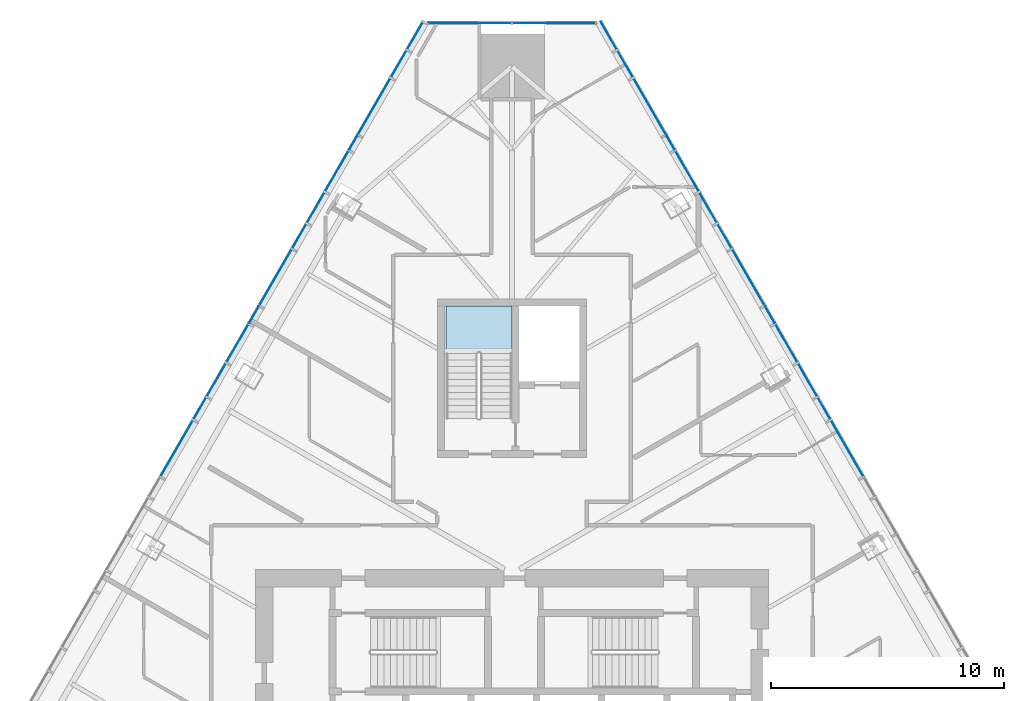
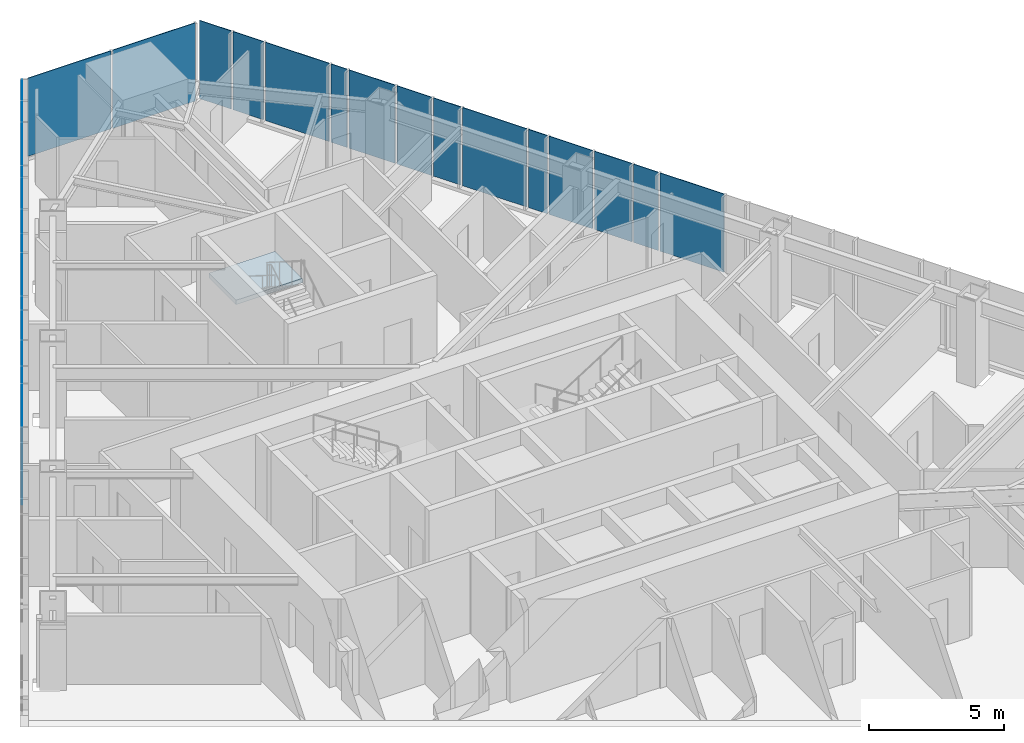
# One storey, part 11 of 19: 28 plates, 1 slab, 4 elements without a shape of their own.
"""IFC4 building model written with IfcOpenShell, lengths in metres."""

from ifc_helpers import new_model, si_unit, direction, frame, origin, place, context, subcontext, project, spatial, polyline, outline, extrude, material, layer, layer_set, type_object, element, aggregate, save


model = new_model("IFC4")

# Units and contexts
model_context = context("Model", 3, precision=1e-05, world=origin(), true_north=direction((0.0, 1.0)))
body_context = subcontext(model_context, "Body", "Model", "MODEL_VIEW")
ifc_project = project(units=[si_unit("LENGTHUNIT", "METRE"), si_unit("AREAUNIT", "SQUARE_METRE"), si_unit("VOLUMEUNIT", "CUBIC_METRE"), si_unit("PLANEANGLEUNIT", "RADIAN"), si_unit("MASSUNIT", "GRAM", prefix="KILO")], contexts=[model_context])

# Site, building, storey
site_placement = place(None, origin())
site = spatial("IfcSite", under=ifc_project, at=site_placement, CompositionType="ELEMENT")
building_placement = place(site_placement, origin())
building = spatial("IfcBuilding", under=site, at=building_placement, Name="Firuza Gate Tower and Library", CompositionType="ELEMENT")
storey_placement = place(building_placement, frame((0.0, 0.0, 210.39990234375)))
storey = spatial("IfcBuildingStorey", under=building, at=storey_placement, Name="L49", CompositionType="ELEMENT", Elevation=210.39990234375)

# Curtain wall, plates
ifc_material_1 = material(Name="Aluminium 6063-T6", Category="aluminium")
ifc_layer_1 = layer(ifc_material_1, 0.14990234375)
ifc_layer_set_1 = layer_set([ifc_layer_1], Name="Corner curtain wall, chamfers")
curtain_wall_type_1 = type_object("IfcCurtainWallType", Name="Corner curtain wall, chamfers", PredefinedType="NOTDEFINED", material=ifc_layer_set_1)
placement = place(storey_placement, origin())
curtain_wall_1 = element("IfcCurtainWall", 1, at=placement, inside=storey, type_object=curtain_wall_type_1, Name="CW4 L49 N corner", PredefinedType="NOTDEFINED")
ifc_material_2 = material(Name="Fritted glass", Category="glass")
ifc_layer_2 = layer(ifc_material_2, 0.030029296875)
ifc_layer_set_2 = layer_set([ifc_layer_2], Name="Fritted glass unit, corners")
plate_type_1 = type_object("IfcPlateType", Name="Fritted glass unit, corners", PredefinedType="CURTAIN_PANEL", material=ifc_layer_set_2)
plate_1_placement = place(storey_placement, frame((78.603271484375, 106.459716796875, 0.150146484375), z_axis=(0.0, 1.0, 0.0), x_axis=(-1.0, 0.0, 0.0)))
plate_1 = element("IfcPlate", 2, at=plate_1_placement, type_object=plate_type_1, Name="Glass unit", PredefinedType="CURTAIN_PANEL", context=body_context, shape_type="SweptSolid", body=[
    extrude(outline(polyline([(0.0, 0.0), (3.563232421875, 0.0), (3.563232421875, 3.550048828125), (0.0, 3.550048828125), (0.0, 0.0)])), origin(), (0.0, 0.0, -1.0), 0.030029296875),
])
plate_2_placement = place(storey_placement, frame((74.9599609375, 106.459716796875, 0.150146484375), z_axis=(0.0, 1.0, 0.0), x_axis=(-1.0, 0.0, 0.0)))
plate_2 = element("IfcPlate", 3, at=plate_2_placement, type_object=plate_type_1, Name="Glass unit", PredefinedType="CURTAIN_PANEL", context=body_context, shape_type="SweptSolid", body=[
    extrude(outline(polyline([(0.0, 0.0), (3.563232421875, 0.0), (3.563232421875, 3.550048828125), (0.0, 3.550048828125), (0.0, 0.0)])), origin(), (0.0, 0.0, -1.0), 0.030029296875),
])
aggregate(curtain_wall_1, [plate_1, plate_2])

ifc_material_3 = material(Name="Aluminium 6063-T6", Category="aluminium")
ifc_layer_3 = layer(ifc_material_3, 0.14990234375)
ifc_layer_set_3 = layer_set([ifc_layer_3], Name="Unitised curtain wall, hotel")
curtain_wall_type_2 = type_object("IfcCurtainWallType", Name="Unitised curtain wall, hotel", PredefinedType="NOTDEFINED", material=ifc_layer_set_3)
curtain_wall_2 = element("IfcCurtainWall", 4, at=placement, inside=storey, type_object=curtain_wall_type_2, Name="CW2 L49 E face", PredefinedType="NOTDEFINED")
ifc_material_4 = material(Name="Fritted glass", Category="glass")
ifc_layer_4 = layer(ifc_material_4, 0.030029296875)
ifc_layer_set_4 = layer_set([ifc_layer_4], Name="Fritted glass unit, hotel")
plate_type_2 = type_object("IfcPlateType", Name="Fritted glass unit, hotel", PredefinedType="CURTAIN_PANEL", material=ifc_layer_set_4)
plate_3_placement = place(storey_placement, frame((88.098876953125, 90.437255859375, 0.150146484375), z_axis=(0.866051796338, 0.49995428397, 0.0), x_axis=(-0.49995428397, 0.866051796338, 0.0)))
plate_3 = element("IfcPlate", 5, at=plate_3_placement, type_object=plate_type_2, Name="Glass unit", PredefinedType="CURTAIN_PANEL", context=body_context, shape_type="SweptSolid", body=[
    extrude(outline(polyline([(0.0, 0.0), (1.6104988137234593, 0.0), (1.6104988137234593, 3.550048828125), (0.0, 3.550048828125), (0.0, 0.0)])), origin(), (0.0, 0.0, -1.0), 0.030029296875),
])
plate_4_placement = place(storey_placement, frame((87.253662109375, 91.901123046875, 0.150146484375), z_axis=(0.866010510293, 0.500025795397, 0.0), x_axis=(-0.500025795397, 0.866010510293, 0.0)))
plate_4 = element("IfcPlate", 6, at=plate_4_placement, type_object=plate_type_2, Name="Glass unit", PredefinedType="CURTAIN_PANEL", context=body_context, shape_type="SweptSolid", body=[
    extrude(outline(polyline([(0.0, 0.0), (1.857814310135533, 0.0), (1.857814310135533, 3.550048828125001), (0.0, 3.550048828125001), (0.0, 0.0)])), origin(), (0.0, 0.0, -1.0), 0.030029296875),
])
plate_5_placement = place(storey_placement, frame((83.802001953125, 97.879638671875, 0.150146484375), z_axis=(0.866021515814, 0.500006734102, 0.0), x_axis=(-0.500006734102, 0.866021515814, 0.0)))
plate_5 = element("IfcPlate", 7, at=plate_5_placement, type_object=plate_type_2, Name="Glass unit", PredefinedType="CURTAIN_PANEL", context=body_context, shape_type="SweptSolid", body=[
    extrude(outline(polyline([(0.0, 0.0), (1.4867963817732524, 0.0), (1.4867963817732524, 3.550048828125001), (0.0, 3.550048828125001), (0.0, 0.0)])), origin(), (0.0, 0.0, -1.0), 0.030029296875),
])
plate_6_placement = place(storey_placement, frame((83.0185546875, 99.236572265625, 0.150146484375), z_axis=(0.866005004348, 0.500035331196, 0.0), x_axis=(-0.500035331196, 0.866005004348, 0.0)))
plate_6 = element("IfcPlate", 8, at=plate_6_placement, type_object=plate_type_2, Name="Glass unit", PredefinedType="CURTAIN_PANEL", context=body_context, shape_type="SweptSolid", body=[
    extrude(outline(polyline([(0.0, 0.0), (1.9813053087282266, 0.0), (1.9813053087282266, 3.550048828125), (0.0, 3.550048828125), (0.0, 0.0)])), origin(), (0.0, 0.0, -1.0), 0.030029296875),
])
plate_7_placement = place(storey_placement, frame((79.505126953125, 105.322021484375, 0.150146484375), z_axis=(0.866030514021, 0.499991148707, 0.0), x_axis=(-0.499991148707, 0.866030514021, 0.0)))
plate_7 = element("IfcPlate", 9, at=plate_7_placement, type_object=plate_type_2, Name="Glass unit", PredefinedType="CURTAIN_PANEL", context=body_context, shape_type="SweptSolid", body=[
    extrude(outline(polyline([(0.0, 0.0), (1.3633053840315437, 0.0), (1.3633053840315437, 3.550048828125), (0.0, 3.550048828125), (0.0, 0.0)])), origin(), (0.0, 0.0, -1.0), 0.030029296875),
])

curtain_wall_3 = element("IfcCurtainWall", 10, at=placement, inside=storey, type_object=curtain_wall_type_2, Name="CW2 L49 W face", PredefinedType="NOTDEFINED")
plate_8_placement = place(storey_placement, frame((71.176513671875, 106.502685546875, 0.150146484375), z_axis=(-0.866030514021, 0.499991148707, 0.0), x_axis=(-0.499991148707, -0.866030514021, 0.0)))
plate_8 = element("IfcPlate", 11, at=plate_8_placement, type_object=plate_type_2, Name="Glass unit", PredefinedType="CURTAIN_PANEL", context=body_context, shape_type="SweptSolid", body=[
    extrude(outline(polyline([(0.0, 0.0), (1.3633053840315437, 0.0), (1.3633053840315437, 3.550048828125), (0.0, 3.550048828125), (0.0, 0.0)])), origin(), (0.0, 0.0, -1.0), 0.030029296875),
])
plate_9_placement = place(storey_placement, frame((67.97216796875, 100.952392578125, 0.150146484375), z_axis=(-0.866005004348, 0.500035331196, 0.0), x_axis=(-0.500035331196, -0.866005004348, 0.0)))
plate_9 = element("IfcPlate", 12, at=plate_9_placement, type_object=plate_type_2, Name="Glass unit", PredefinedType="CURTAIN_PANEL", context=body_context, shape_type="SweptSolid", body=[
    extrude(outline(polyline([(0.0, 0.0), (1.9813053087282266, 0.0), (1.9813053087282266, 3.550048828125), (0.0, 3.550048828125), (0.0, 0.0)])), origin(), (0.0, 0.0, -1.0), 0.030029296875),
])
plate_10_placement = place(storey_placement, frame((66.94140625, 99.167236328125, 0.150146484375), z_axis=(-0.866021515814, 0.500006734102, 0.0), x_axis=(-0.500006734102, -0.866021515814, 0.0)))
plate_10 = element("IfcPlate", 13, at=plate_10_placement, type_object=plate_type_2, Name="Glass unit", PredefinedType="CURTAIN_PANEL", context=body_context, shape_type="SweptSolid", body=[
    extrude(outline(polyline([(0.0, 0.0), (1.4867963817732524, 0.0), (1.4867963817732524, 3.550048828125001), (0.0, 3.550048828125001), (0.0, 0.0)])), origin(), (0.0, 0.0, -1.0), 0.030029296875),
])
plate_11_placement = place(storey_placement, frame((63.67529296875, 93.510009765625, 0.150146484375), z_axis=(-0.866010510293, 0.500025795397, 0.0), x_axis=(-0.500025795397, -0.866010510293, 0.0)))
plate_11 = element("IfcPlate", 14, at=plate_11_placement, type_object=plate_type_2, Name="Glass unit", PredefinedType="CURTAIN_PANEL", context=body_context, shape_type="SweptSolid", body=[
    extrude(outline(polyline([(0.0, 0.0), (1.857814310135533, 0.0), (1.857814310135533, 3.550048828125001), (0.0, 3.550048828125001), (0.0, 0.0)])), origin(), (0.0, 0.0, -1.0), 0.030029296875),
])
plate_12_placement = place(storey_placement, frame((62.706298828125, 91.83203125, 0.150146484375), z_axis=(-0.866051796338, 0.49995428397, 0.0), x_axis=(-0.49995428397, -0.866051796338, 0.0)))
plate_12 = element("IfcPlate", 15, at=plate_12_placement, type_object=plate_type_2, Name="Glass unit", PredefinedType="CURTAIN_PANEL", context=body_context, shape_type="SweptSolid", body=[
    extrude(outline(polyline([(0.0, 0.0), (1.6104988137234593, 0.0), (1.6104988137234593, 3.550048828125), (0.0, 3.550048828125), (0.0, 0.0)])), origin(), (0.0, 0.0, -1.0), 0.030029296875),
])

# Plate
ifc_material_5 = material(Name="Glazed ceramic tile")
ifc_layer_5 = layer(ifc_material_5, 0.030029296875)
ifc_layer_set_5 = layer_set([ifc_layer_5], Name="Opaque ceramic panel, hotel")
plate_type_3 = type_object("IfcPlateType", Name="Opaque ceramic panel, hotel", PredefinedType="CURTAIN_PANEL", material=ifc_layer_set_5)
plate_13_placement = place(storey_placement, frame((90.076904296875, 87.010986328125, 0.150146484375), z_axis=(0.866055182085, 0.499948418923, 0.0), x_axis=(-0.499948418923, 0.866055182085, 0.0)))
plate_13 = element("IfcPlate", 16, at=plate_13_placement, type_object=plate_type_3, Name="Opaque ceramic panel", PredefinedType="CURTAIN_PANEL", context=body_context, shape_type="SweptSolid", body=[
    extrude(outline(polyline([(0.0, 0.0), (2.7434470824124153, 0.0), (2.7434470824124153, 3.550048828125001), (0.0, 3.550048828125001), (0.0, 0.0)])), origin(), (0.0, 0.0, -1.0), 0.030029296875),
])

plate_14_placement = place(storey_placement, frame((88.665283203125, 89.4560546875, 0.150146484375), z_axis=(0.86612382622, 0.499829488579, 0.0), x_axis=(-0.499829488579, 0.86612382622, 0.0)))
plate_14 = element("IfcPlate", 17, at=plate_14_placement, type_object=plate_type_3, Name="Opaque ceramic panel", PredefinedType="CURTAIN_PANEL", context=body_context, shape_type="SweptSolid", body=[
    extrude(outline(polyline([(0.0, 0.0), (1.0530935039394893, 0.0), (1.0530935039394893, 3.550048828125), (0.0, 3.550048828125), (0.0, 0.0)])), origin(), (0.0, 0.0, -1.0), 0.030029296875),
])

plate_15_placement = place(storey_placement, frame((86.28466796875, 93.579345703125, 0.150146484375), z_axis=(0.866034203951, 0.499984757355, 0.0), x_axis=(-0.499984757355, 0.866034203951, 0.0)))
plate_15 = element("IfcPlate", 18, at=plate_15_placement, type_object=plate_type_3, Name="Opaque ceramic panel", PredefinedType="CURTAIN_PANEL", context=body_context, shape_type="SweptSolid", body=[
    extrude(outline(polyline([(0.0, 0.0), (0.8056886241521193, 0.0), (0.8056886241521193, 3.550048828125), (0.0, 3.550048828125), (0.0, 0.0)])), origin(), (0.0, 0.0, -1.0), 0.030029296875),
])

plate_16_placement = place(storey_placement, frame((85.842041015625, 94.346435546875, 0.150146484375), z_axis=(0.86599439933, 0.500053697445, 0.0), x_axis=(-0.500053697445, 0.86599439933, 0.0)))
plate_16 = element("IfcPlate", 19, at=plate_16_placement, type_object=plate_type_3, Name="Opaque ceramic panel", PredefinedType="CURTAIN_PANEL", context=body_context, shape_type="SweptSolid", body=[
    extrude(outline(polyline([(0.0, 0.0), (2.7433577211492617, 0.0), (2.7433577211492617, 3.550048828125001), (0.0, 3.550048828125001), (0.0, 0.0)])), origin(), (0.0, 0.0, -1.0), 0.030029296875),
])

plate_17_placement = place(storey_placement, frame((84.43017578125, 96.79150390625, 0.150146484375), z_axis=(0.866102666471, 0.499866153217, 0.0), x_axis=(-0.499866153217, 0.866102666471, 0.0)))
plate_17 = element("IfcPlate", 20, at=plate_17_placement, type_object=plate_type_3, Name="Opaque ceramic panel", PredefinedType="CURTAIN_PANEL", context=body_context, shape_type="SweptSolid", body=[
    extrude(outline(polyline([(0.0, 0.0), (1.1765844953489688, 0.0), (1.1765844953489688, 3.550048828125001), (0.0, 3.550048828125001), (0.0, 0.0)])), origin(), (0.0, 0.0, -1.0), 0.030029296875),
])

plate_18_placement = place(storey_placement, frame((81.988037109375, 101.021728515625, 0.150146484375), z_axis=(0.865964989499, 0.500104626015, 0.0), x_axis=(-0.500104626015, 0.865964989499, 0.0)))
plate_18 = element("IfcPlate", 21, at=plate_18_placement, type_object=plate_type_3, Name="Opaque ceramic panel", PredefinedType="CURTAIN_PANEL", context=body_context, shape_type="SweptSolid", body=[
    extrude(outline(polyline([(0.0, 0.0), (0.6819861992533169, 0.0), (0.6819861992533169, 3.550048828125), (0.0, 3.550048828125), (0.0, 0.0)])), origin(), (0.0, 0.0, -1.0), 0.030029296875),
])

plate_19_placement = place(storey_placement, frame((81.60693359375, 101.681640625, 0.150146484375), z_axis=(0.86599439933, 0.500053697445, 0.0), x_axis=(-0.500053697445, 0.86599439933, 0.0)))
plate_19 = element("IfcPlate", 22, at=plate_19_placement, type_object=plate_type_3, Name="Opaque ceramic panel", PredefinedType="CURTAIN_PANEL", context=body_context, shape_type="SweptSolid", body=[
    extrude(outline(polyline([(0.0, 0.0), (2.7433577211492617, 0.0), (2.7433577211492617, 3.550048828125001), (0.0, 3.550048828125001), (0.0, 0.0)])), origin(), (0.0, 0.0, -1.0), 0.030029296875),
])

plate_20_placement = place(storey_placement, frame((80.1953125, 104.126708984375, 0.150146484375), z_axis=(0.866051156038, 0.499955393135, 0.0), x_axis=(-0.499955393135, 0.866051156038, 0.0)))
plate_20 = element("IfcPlate", 23, at=plate_20_placement, type_object=plate_type_3, Name="Opaque ceramic panel", PredefinedType="CURTAIN_PANEL", context=body_context, shape_type="SweptSolid", body=[
    extrude(outline(polyline([(0.0, 0.0), (1.3004089830866832, 0.0), (1.3004089830866832, 3.550048828125), (0.0, 3.550048828125), (0.0, 0.0)])), origin(), (0.0, 0.0, -1.0), 0.030029296875),
])

aggregate(curtain_wall_2, [plate_13, plate_14, plate_3, plate_4, plate_15, plate_16, plate_17, plate_5, plate_6, plate_18, plate_19, plate_20, plate_7])

plate_21_placement = place(storey_placement, frame((70.454833984375, 105.2529296875, 0.150146484375), z_axis=(-0.866051156038, 0.499955393135, 0.0), x_axis=(-0.499955393135, -0.866051156038, 0.0)))
plate_21 = element("IfcPlate", 24, at=plate_21_placement, type_object=plate_type_3, Name="Opaque ceramic panel", PredefinedType="CURTAIN_PANEL", context=body_context, shape_type="SweptSolid", body=[
    extrude(outline(polyline([(0.0, 0.0), (1.3004089830866832, 0.0), (1.3004089830866832, 3.550048828125), (0.0, 3.550048828125), (0.0, 0.0)])), origin(), (0.0, 0.0, -1.0), 0.030029296875),
])

plate_22_placement = place(storey_placement, frame((69.764892578125, 104.057373046875, 0.150146484375), z_axis=(-0.86599439933, 0.500053697445, 0.0), x_axis=(-0.500053697445, -0.86599439933, 0.0)))
plate_22 = element("IfcPlate", 25, at=plate_22_placement, type_object=plate_type_3, Name="Opaque ceramic panel", PredefinedType="CURTAIN_PANEL", context=body_context, shape_type="SweptSolid", body=[
    extrude(outline(polyline([(0.0, 0.0), (2.7433577211492617, 0.0), (2.7433577211492617, 3.550048828125001), (0.0, 3.550048828125001), (0.0, 0.0)])), origin(), (0.0, 0.0, -1.0), 0.030029296875),
])

plate_23_placement = place(storey_placement, frame((68.35302734375, 101.6123046875, 0.150146484375), z_axis=(-0.865964989499, 0.500104626015, 0.0), x_axis=(-0.500104626015, -0.865964989499, 0.0)))
plate_23 = element("IfcPlate", 26, at=plate_23_placement, type_object=plate_type_3, Name="Opaque ceramic panel", PredefinedType="CURTAIN_PANEL", context=body_context, shape_type="SweptSolid", body=[
    extrude(outline(polyline([(0.0, 0.0), (0.6819861992533169, 0.0), (0.6819861992533169, 3.550048828125), (0.0, 3.550048828125), (0.0, 0.0)])), origin(), (0.0, 0.0, -1.0), 0.030029296875),
])

plate_24_placement = place(storey_placement, frame((66.157958984375, 97.810546875, 0.150146484375), z_axis=(-0.866102666471, 0.499866153217, 0.0), x_axis=(-0.499866153217, -0.866102666471, 0.0)))
plate_24 = element("IfcPlate", 27, at=plate_24_placement, type_object=plate_type_3, Name="Opaque ceramic panel", PredefinedType="CURTAIN_PANEL", context=body_context, shape_type="SweptSolid", body=[
    extrude(outline(polyline([(0.0, 0.0), (1.1765844953489688, 0.0), (1.1765844953489688, 3.550048828125001), (0.0, 3.550048828125001), (0.0, 0.0)])), origin(), (0.0, 0.0, -1.0), 0.030029296875),
])

plate_25_placement = place(storey_placement, frame((65.52978515625, 96.72216796875, 0.150146484375), z_axis=(-0.86599439933, 0.500053697445, 0.0), x_axis=(-0.500053697445, -0.86599439933, 0.0)))
plate_25 = element("IfcPlate", 28, at=plate_25_placement, type_object=plate_type_3, Name="Opaque ceramic panel", PredefinedType="CURTAIN_PANEL", context=body_context, shape_type="SweptSolid", body=[
    extrude(outline(polyline([(0.0, 0.0), (2.7433577211492617, 0.0), (2.7433577211492617, 3.550048828125001), (0.0, 3.550048828125001), (0.0, 0.0)])), origin(), (0.0, 0.0, -1.0), 0.030029296875),
])

plate_26_placement = place(storey_placement, frame((64.1181640625, 94.277099609375, 0.150146484375), z_axis=(-0.866034203951, 0.499984757355, 0.0), x_axis=(-0.499984757355, -0.866034203951, 0.0)))
plate_26 = element("IfcPlate", 29, at=plate_26_placement, type_object=plate_type_3, Name="Opaque ceramic panel", PredefinedType="CURTAIN_PANEL", context=body_context, shape_type="SweptSolid", body=[
    extrude(outline(polyline([(0.0, 0.0), (0.8056886241521193, 0.0), (0.8056886241521193, 3.550048828125), (0.0, 3.550048828125), (0.0, 0.0)])), origin(), (0.0, 0.0, -1.0), 0.030029296875),
])

plate_27_placement = place(storey_placement, frame((61.861083984375, 90.3681640625, 0.150146484375), z_axis=(-0.86612382622, 0.499829488579, 0.0), x_axis=(-0.499829488579, -0.86612382622, 0.0)))
plate_27 = element("IfcPlate", 30, at=plate_27_placement, type_object=plate_type_3, Name="Opaque ceramic panel", PredefinedType="CURTAIN_PANEL", context=body_context, shape_type="SweptSolid", body=[
    extrude(outline(polyline([(0.0, 0.0), (1.0530935039394893, 0.0), (1.0530935039394893, 3.550048828125), (0.0, 3.550048828125), (0.0, 0.0)])), origin(), (0.0, 0.0, -1.0), 0.030029296875),
])

plate_28_placement = place(storey_placement, frame((61.294677734375, 89.386962890625, 0.150146484375), z_axis=(-0.866055182085, 0.499948418923, 0.0), x_axis=(-0.499948418923, -0.866055182085, 0.0)))
plate_28 = element("IfcPlate", 31, at=plate_28_placement, type_object=plate_type_3, Name="Opaque ceramic panel", PredefinedType="CURTAIN_PANEL", context=body_context, shape_type="SweptSolid", body=[
    extrude(outline(polyline([(0.0, 0.0), (2.7434470824124153, 0.0), (2.7434470824124153, 3.550048828125001), (0.0, 3.550048828125001), (0.0, 0.0)])), origin(), (0.0, 0.0, -1.0), 0.030029296875),
])

aggregate(curtain_wall_3, [plate_8, plate_21, plate_22, plate_23, plate_9, plate_10, plate_24, plate_25, plate_26, plate_11, plate_12, plate_27, plate_28])

# Stair, slab
ifc_material_6 = material(Name="Concrete C35/45", Category="concrete")
stair_type = type_object("IfcStairType", Name="Exit stair ST16", PredefinedType="HALF_TURN_STAIR", material=ifc_material_6)
stair = element("IfcStair", 32, at=placement, inside=storey, type_object=stair_type, Name="L49 Stair ST3", PredefinedType="HALF_TURN_STAIR")
ifc_material_7 = material(Name="Concrete C35/45", Category="concrete")
ifc_layer_6 = layer(ifc_material_7, 0.199951171875)
ifc_layer_set_6 = layer_set([ifc_layer_6], Name="Stair landing 200")
slab_type = type_object("IfcSlabType", Name="Stair landing 200", PredefinedType="LANDING", material=ifc_layer_set_6)
slab_placement = place(storey_placement, frame((0.0, 0.0, 1.75)))
slab = element("IfcSlab", 33, at=slab_placement, type_object=slab_type, Name="ST3 landing 1", PredefinedType="LANDING", context=body_context, shape_type="SweptSolid", body=[
    extrude(outline(polyline([(75.0, 92.27001953125), (75.0, 94.300048828125), (72.159912109375, 94.300048828125), (72.159912109375, 92.27001953125), (75.0, 92.27001953125)])), origin(), (0.0, 0.0, 1.0), 0.2001953125),
])
aggregate(stair, [slab])

save(model, "model.ifc")
